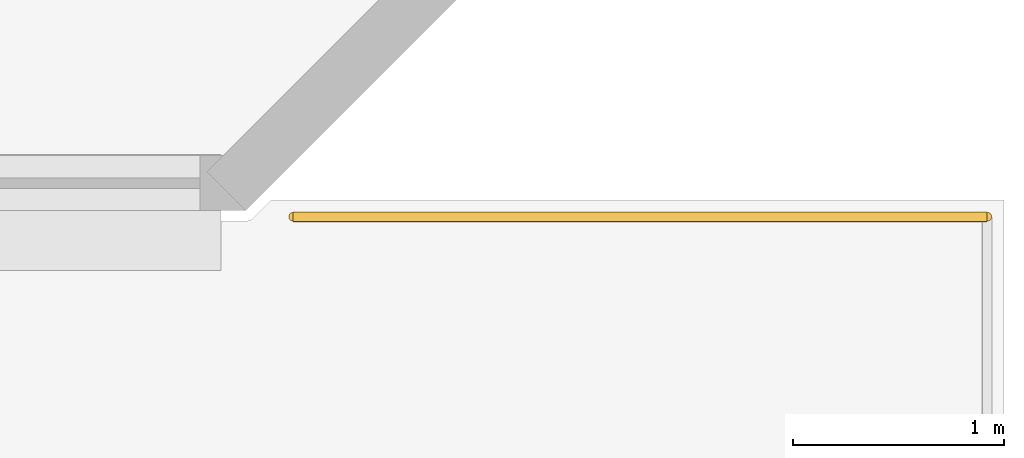
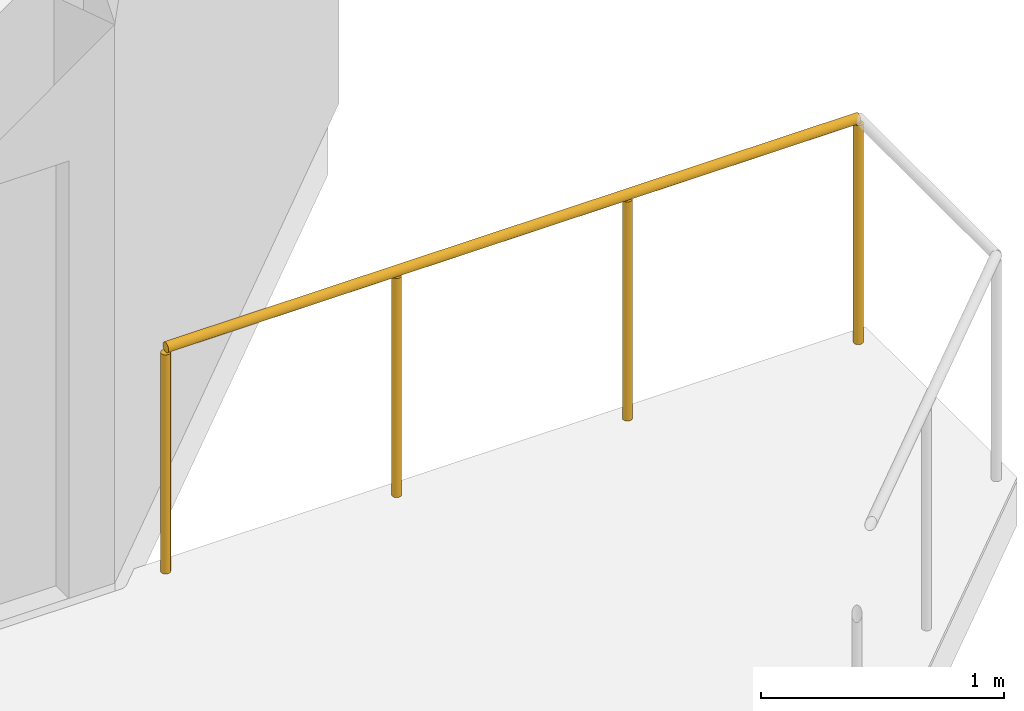
# One storey, part 32 of 32: 1 railing.
"""IFC4 building model written with IfcOpenShell, lengths in metres."""

from ifc_helpers import new_model, si_unit, direction, frame, origin, origin_2d, place, context, subcontext, project, spatial, circle, extrude, material, type_object, element, save


model = new_model("IFC4")

# Units and contexts
model_context = context("Model", 3, precision=1e-05, world=origin(), true_north=direction((0.0, 1.0)))
body_context = subcontext(model_context, "Body", "Model", "MODEL_VIEW")
ifc_project = project(units=[si_unit("LENGTHUNIT", "METRE"), si_unit("AREAUNIT", "SQUARE_METRE"), si_unit("VOLUMEUNIT", "CUBIC_METRE"), si_unit("PLANEANGLEUNIT", "RADIAN"), si_unit("MASSUNIT", "GRAM", prefix="KILO")], contexts=[model_context])

# Site, building, storey
site_placement = place(None, origin())
site = spatial("IfcSite", under=ifc_project, at=site_placement, CompositionType="ELEMENT")
building_placement = place(site_placement, origin())
building = spatial("IfcBuilding", under=site, at=building_placement, Name="Haolan Belvedere Tower", CompositionType="ELEMENT")
storey_placement = place(building_placement, frame((0.0, 0.0, 15.60009765625)))
storey = spatial("IfcBuildingStorey", under=building, at=storey_placement, Name="L03", CompositionType="ELEMENT", Elevation=15.60009765625)

# Railing
ifc_material = material(Name="Anodised aluminium and laminated glass balustrade", Category="aluminium")
railing_type = type_object("IfcRailingType", Name="RL-TER-BAL-1150", PredefinedType="BALUSTRADE", material=ifc_material)
railing_placement = place(storey_placement, frame((71.024658203125, 10.77001953125, 0.0)))
element("IfcRailing", 1, at=railing_placement, inside=storey, type_object=railing_type, Name="L03 outdoor perimeter balustrade TERR-L03-1-2", PredefinedType="BALUSTRADE", context=body_context, shape_type="SweptSolid", body=[
    extrude(circle(Radius=0.02392578125, at=origin_2d()), frame((0.0, 0.0, 1.1259765625), z_axis=(1.0, 0.0, 0.0), x_axis=(0.0, 1.0, 0.0)), (0.0, 0.0, 1.0), 3.29541015625),
    extrude(circle(Radius=0.02099609375, at=origin_2d()), origin(), (0.0, 0.0, 1.0), 1.101806640625),
    extrude(circle(Radius=0.02099609375, at=origin_2d()), frame((1.098388671875, 0.0, 0.0)), (0.0, 0.0, 1.0), 1.101806640625),
    extrude(circle(Radius=0.02099609375, at=origin_2d()), frame((2.197021484375, 0.0, 0.0)), (0.0, 0.0, 1.0), 1.101806640625),
    extrude(circle(Radius=0.02099609375, at=origin_2d()), frame((3.29541015625, 0.0, 0.0)), (0.0, 0.0, 1.0), 1.101806640625),
])

save(model, "model.ifc")
